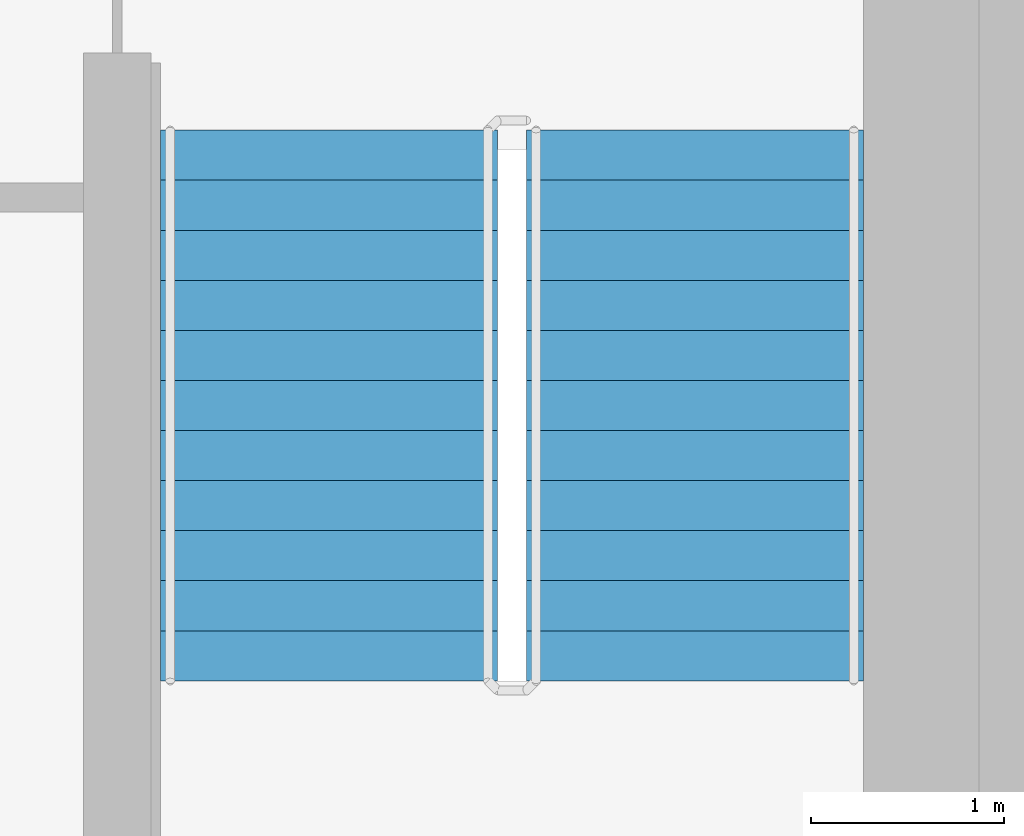
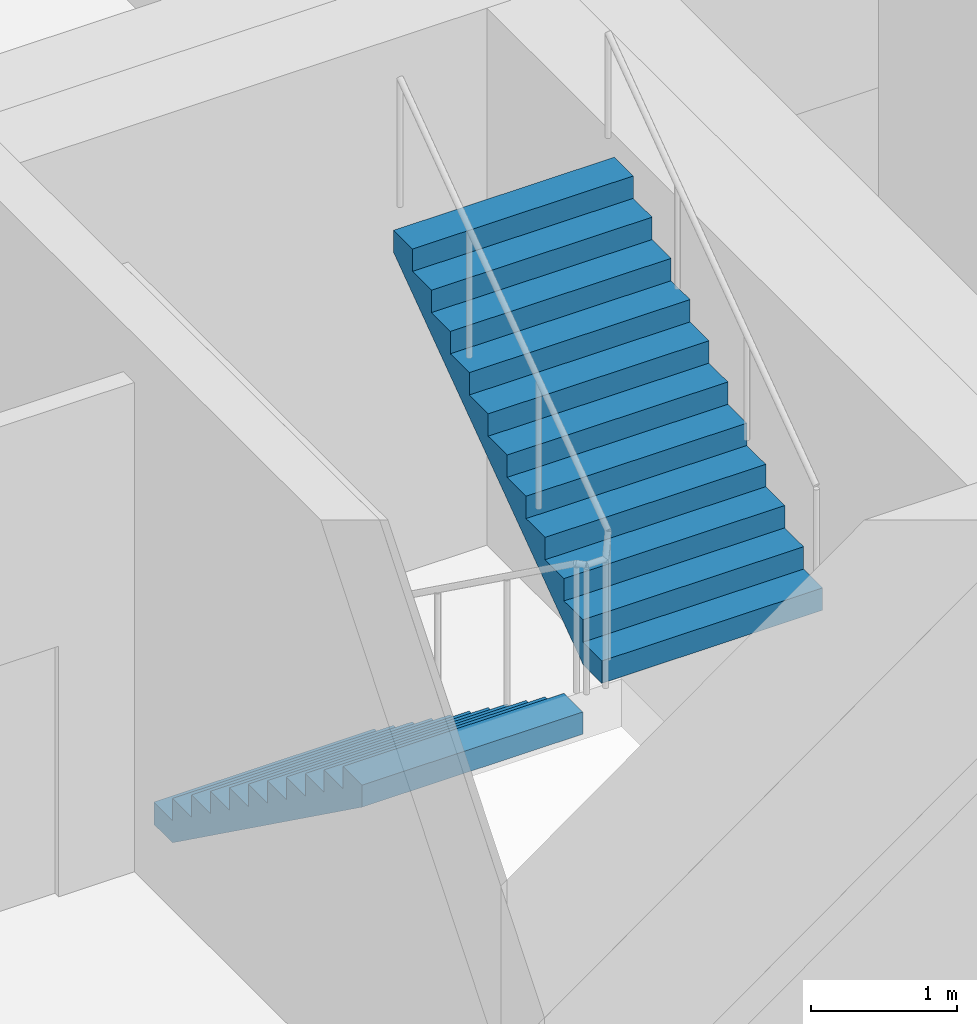
# One storey, part 14 of 19: 2 stair flights, 1 element without a shape of its own.
"""IFC4 building model written with IfcOpenShell, lengths in metres."""

from ifc_helpers import new_model, si_unit, direction, frame, origin, place, context, subcontext, project, spatial, faceted_brep, material, type_object, element, aggregate, save


model = new_model("IFC4")

# Units and contexts
model_context = context("Model", 3, precision=1e-05, world=origin(), true_north=direction((0.0, 1.0)))
body_context = subcontext(model_context, "Body", "Model", "MODEL_VIEW")
ifc_project = project(units=[si_unit("LENGTHUNIT", "METRE"), si_unit("AREAUNIT", "SQUARE_METRE"), si_unit("VOLUMEUNIT", "CUBIC_METRE"), si_unit("PLANEANGLEUNIT", "RADIAN"), si_unit("MASSUNIT", "GRAM", prefix="KILO")], contexts=[model_context])

# Site, building, storey
site_placement = place(None, origin())
site = spatial("IfcSite", under=ifc_project, at=site_placement, CompositionType="ELEMENT")
building_placement = place(site_placement, origin())
building = spatial("IfcBuilding", under=site, at=building_placement, Name="Ipe Terrace Towers", CompositionType="ELEMENT")
storey_placement = place(building_placement, frame((0.0, 0.0, 237.89990234375)))
storey = spatial("IfcBuildingStorey", under=building, at=storey_placement, Name="L66", CompositionType="ELEMENT", Elevation=237.89990234375)

# Stair, stair flights
ifc_material_1 = material(Name="Concrete C30/37", Category="concrete")
stair_type = type_object("IfcStairType", Name="Protected exit stair", PredefinedType="HALF_TURN_STAIR", material=ifc_material_1)
stair_placement = place(storey_placement, origin())
stair = element("IfcStair", 1, at=stair_placement, inside=storey, type_object=stair_type, Name="L66 Exit stair T2-C2", PredefinedType="HALF_TURN_STAIR")
ifc_material_2 = material(Name="Concrete C30/37", Category="concrete")
stair_flight_type = type_object("IfcStairFlightType", Name="Exit stair flight 1750", PredefinedType="STRAIGHT", material=ifc_material_2)
stair_flight_1_placement = place(storey_placement, frame((38.77490234375, -9.699951171875, 0.0), z_axis=(0.0, 0.0, 1.0), x_axis=(0.0, -1.0, 0.0)))
stair_flight_1 = element("IfcStairFlight", 2, at=stair_flight_1_placement, type_object=stair_flight_type, Name="T2-ST2 flight 1", NumberOfRisers=12, NumberOfTreads=11, PredefinedType="STRAIGHT", RiserHeight=0.1875, TreadLength=0.26, context=body_context, shape_type="Brep", body=[
    faceted_brep([(0.25634765625, -0.875, 0.0), (2.860107421875, -0.875, 1.877685546875), (2.860107421875, -0.875, 2.0625), (2.60009765625, -0.875, 2.0625), (2.60009765625, -0.875, 1.875), (2.340087890625, -0.875, 1.875), (2.340087890625, -0.875, 1.6875), (2.080078125, -0.875, 1.6875), (2.080078125, -0.875, 1.5), (1.820068359375, -0.875, 1.5), (1.820068359375, -0.875, 1.3125), (1.56005859375, -0.875, 1.3125), (1.56005859375, -0.875, 1.125), (1.300048828125, -0.875, 1.125), (1.300048828125, -0.875, 0.9375), (1.0400390625, -0.875, 0.9375), (1.0400390625, -0.875, 0.75), (0.780029296875, -0.875, 0.75), (0.780029296875, -0.875, 0.5625), (0.52001953125, -0.875, 0.5625), (0.52001953125, -0.875, 0.375), (0.260009765625, -0.875, 0.375), (0.260009765625, -0.875, 0.1875), (0.0, -0.875, 0.1875), (0.0, -0.875, 0.0), (0.0, 0.875, 0.0), (0.0, 0.875, 0.1875), (0.260009765625, 0.875, 0.1875), (0.260009765625, 0.875, 0.375), (0.52001953125, 0.875, 0.375), (0.52001953125, 0.875, 0.5625), (0.780029296875, 0.875, 0.5625), (0.780029296875, 0.875, 0.75), (1.0400390625, 0.875, 0.75), (1.0400390625, 0.875, 0.9375), (1.300048828125, 0.875, 0.9375), (1.300048828125, 0.875, 1.125), (1.56005859375, 0.875, 1.125), (1.56005859375, 0.875, 1.3125), (1.820068359375, 0.875, 1.3125), (1.820068359375, 0.875, 1.5), (2.080078125, 0.875, 1.5), (2.080078125, 0.875, 1.6875), (2.340087890625, 0.875, 1.6875), (2.340087890625, 0.875, 1.875), (2.60009765625, 0.875, 1.875), (2.60009765625, 0.875, 2.0625), (2.860107421875, 0.875, 2.0625), (2.860107421875, 0.875, 1.877685546875), (0.25634765625, 0.875, 0.0), (0.0, -0.300048828125, 0.1875), (0.0, -0.1201171875, 0.1875), (0.0, -0.06005859375, 0.1875), (0.0, -0.030029296875, 0.1875), (0.0, -0.010009765625, 0.1875), (0.0, 0.0, 0.1875), (0.0, 0.010009765625, 0.1875), (0.0, 0.030029296875, 0.1875), (0.0, 0.06005859375, 0.1875), (0.0, 0.1201171875, 0.1875), (0.0, 0.300048828125, 0.1875), (0.0, 0.300048828125, 0.0), (0.0, 0.1201171875, 0.0), (0.0, 0.06005859375, 0.0), (0.0, 0.030029296875, 0.0), (0.0, 0.010009765625, 0.0), (0.0, 0.0, 0.0), (0.0, -0.010009765625, 0.0), (0.0, -0.030029296875, 0.0), (0.0, -0.06005859375, 0.0), (0.0, -0.1201171875, 0.0), (0.0, -0.300048828125, 0.0), (0.260009765625, -0.300048828125, 0.1875), (0.260009765625, -0.1201171875, 0.1875), (0.260009765625, -0.06005859375, 0.1875), (0.260009765625, -0.030029296875, 0.1875), (0.260009765625, -0.010009765625, 0.1875), (0.260009765625, 0.0, 0.1875), (0.260009765625, 0.010009765625, 0.1875), (0.260009765625, 0.030029296875, 0.1875), (0.260009765625, 0.06005859375, 0.1875), (0.260009765625, 0.1201171875, 0.1875), (0.260009765625, 0.300048828125, 0.1875), (0.260009765625, -0.300048828125, 0.375), (0.260009765625, -0.1201171875, 0.375), (0.260009765625, -0.06005859375, 0.375), (0.260009765625, -0.030029296875, 0.375), (0.260009765625, -0.010009765625, 0.375), (0.260009765625, 0.0, 0.375), (0.260009765625, 0.010009765625, 0.375), (0.260009765625, 0.030029296875, 0.375), (0.260009765625, 0.06005859375, 0.375), (0.260009765625, 0.1201171875, 0.375), (0.260009765625, 0.300048828125, 0.375), (0.52001953125, -0.300048828125, 0.375), (0.52001953125, -0.1201171875, 0.375), (0.52001953125, -0.06005859375, 0.375), (0.52001953125, -0.030029296875, 0.375), (0.52001953125, -0.010009765625, 0.375), (0.52001953125, 0.0, 0.375), (0.52001953125, 0.010009765625, 0.375), (0.52001953125, 0.030029296875, 0.375), (0.52001953125, 0.06005859375, 0.375), (0.52001953125, 0.1201171875, 0.375), (0.52001953125, 0.300048828125, 0.375), (0.52001953125, -0.300048828125, 0.5625), (0.52001953125, -0.1201171875, 0.5625), (0.52001953125, -0.06005859375, 0.5625), (0.52001953125, -0.030029296875, 0.5625), (0.52001953125, -0.010009765625, 0.5625), (0.52001953125, 0.0, 0.5625), (0.52001953125, 0.010009765625, 0.5625), (0.52001953125, 0.030029296875, 0.5625), (0.52001953125, 0.06005859375, 0.5625), (0.52001953125, 0.1201171875, 0.5625), (0.52001953125, 0.300048828125, 0.5625), (0.780029296875, -0.300048828125, 0.5625), (0.780029296875, -0.1201171875, 0.5625), (0.780029296875, -0.06005859375, 0.5625), (0.780029296875, -0.030029296875, 0.5625), (0.780029296875, -0.010009765625, 0.5625), (0.780029296875, 0.0, 0.5625), (0.780029296875, 0.010009765625, 0.5625), (0.780029296875, 0.030029296875, 0.5625), (0.780029296875, 0.06005859375, 0.5625), (0.780029296875, 0.1201171875, 0.5625), (0.780029296875, 0.300048828125, 0.5625), (0.780029296875, -0.300048828125, 0.75), (0.780029296875, -0.1201171875, 0.75), (0.780029296875, -0.06005859375, 0.75), (0.780029296875, -0.030029296875, 0.75), (0.780029296875, -0.010009765625, 0.75), (0.780029296875, 0.0, 0.75), (0.780029296875, 0.010009765625, 0.75), (0.780029296875, 0.030029296875, 0.75), (0.780029296875, 0.06005859375, 0.75), (0.780029296875, 0.1201171875, 0.75), (0.780029296875, 0.300048828125, 0.75), (1.0400390625, -0.300048828125, 0.75), (1.0400390625, -0.1201171875, 0.75), (1.0400390625, -0.06005859375, 0.75), (1.0400390625, -0.030029296875, 0.75), (1.0400390625, -0.010009765625, 0.75), (1.0400390625, 0.0, 0.75), (1.0400390625, 0.010009765625, 0.75), (1.0400390625, 0.030029296875, 0.75), (1.0400390625, 0.06005859375, 0.75), (1.0400390625, 0.1201171875, 0.75), (1.0400390625, 0.300048828125, 0.75), (1.0400390625, -0.300048828125, 0.9375), (1.0400390625, -0.1201171875, 0.9375), (1.0400390625, -0.06005859375, 0.9375), (1.0400390625, -0.030029296875, 0.9375), (1.0400390625, -0.010009765625, 0.9375), (1.0400390625, 0.0, 0.9375), (1.0400390625, 0.010009765625, 0.9375), (1.0400390625, 0.030029296875, 0.9375), (1.0400390625, 0.06005859375, 0.9375), (1.0400390625, 0.1201171875, 0.9375), (1.0400390625, 0.300048828125, 0.9375), (1.300048828125, -0.300048828125, 0.9375), (1.300048828125, -0.1201171875, 0.9375), (1.300048828125, -0.06005859375, 0.9375), (1.300048828125, -0.030029296875, 0.9375), (1.300048828125, -0.010009765625, 0.9375), (1.300048828125, 0.0, 0.9375), (1.300048828125, 0.010009765625, 0.9375), (1.300048828125, 0.030029296875, 0.9375), (1.300048828125, 0.06005859375, 0.9375), (1.300048828125, 0.1201171875, 0.9375), (1.300048828125, 0.300048828125, 0.9375), (1.300048828125, -0.300048828125, 1.125), (1.300048828125, -0.1201171875, 1.125), (1.300048828125, -0.06005859375, 1.125), (1.300048828125, -0.030029296875, 1.125), (1.300048828125, -0.010009765625, 1.125), (1.300048828125, 0.0, 1.125), (1.300048828125, 0.010009765625, 1.125), (1.300048828125, 0.030029296875, 1.125), (1.300048828125, 0.06005859375, 1.125), (1.300048828125, 0.1201171875, 1.125), (1.300048828125, 0.300048828125, 1.125), (1.56005859375, -0.300048828125, 1.125), (1.56005859375, -0.1201171875, 1.125), (1.56005859375, -0.06005859375, 1.125), (1.56005859375, -0.030029296875, 1.125), (1.56005859375, -0.010009765625, 1.125), (1.56005859375, 0.0, 1.125), (1.56005859375, 0.010009765625, 1.125), (1.56005859375, 0.030029296875, 1.125), (1.56005859375, 0.06005859375, 1.125), (1.56005859375, 0.1201171875, 1.125), (1.56005859375, 0.300048828125, 1.125), (1.56005859375, -0.300048828125, 1.3125), (1.56005859375, -0.1201171875, 1.3125), (1.56005859375, -0.06005859375, 1.3125), (1.56005859375, -0.030029296875, 1.3125), (1.56005859375, -0.010009765625, 1.3125), (1.56005859375, 0.0, 1.3125), (1.56005859375, 0.010009765625, 1.3125), (1.56005859375, 0.030029296875, 1.3125), (1.56005859375, 0.06005859375, 1.3125), (1.56005859375, 0.1201171875, 1.3125), (1.56005859375, 0.300048828125, 1.3125), (1.820068359375, -0.300048828125, 1.3125), (1.820068359375, -0.1201171875, 1.3125), (1.820068359375, -0.06005859375, 1.3125), (1.820068359375, -0.030029296875, 1.3125), (1.820068359375, -0.010009765625, 1.3125), (1.820068359375, 0.0, 1.3125), (1.820068359375, 0.010009765625, 1.3125), (1.820068359375, 0.030029296875, 1.3125), (1.820068359375, 0.06005859375, 1.3125), (1.820068359375, 0.1201171875, 1.3125), (1.820068359375, 0.300048828125, 1.3125), (1.820068359375, -0.300048828125, 1.5), (1.820068359375, -0.1201171875, 1.5), (1.820068359375, -0.06005859375, 1.5), (1.820068359375, -0.030029296875, 1.5), (1.820068359375, -0.010009765625, 1.5), (1.820068359375, 0.0, 1.5), (1.820068359375, 0.010009765625, 1.5), (1.820068359375, 0.030029296875, 1.5), (1.820068359375, 0.06005859375, 1.5), (1.820068359375, 0.1201171875, 1.5), (1.820068359375, 0.300048828125, 1.5), (2.080078125, -0.300048828125, 1.5), (2.080078125, -0.1201171875, 1.5), (2.080078125, -0.06005859375, 1.5), (2.080078125, -0.030029296875, 1.5), (2.080078125, -0.010009765625, 1.5), (2.080078125, 0.0, 1.5), (2.080078125, 0.010009765625, 1.5), (2.080078125, 0.030029296875, 1.5), (2.080078125, 0.06005859375, 1.5), (2.080078125, 0.1201171875, 1.5), (2.080078125, 0.300048828125, 1.5), (2.080078125, -0.300048828125, 1.6875), (2.080078125, -0.1201171875, 1.6875), (2.080078125, -0.06005859375, 1.6875), (2.080078125, -0.030029296875, 1.6875), (2.080078125, -0.010009765625, 1.6875), (2.080078125, 0.0, 1.6875), (2.080078125, 0.010009765625, 1.6875), (2.080078125, 0.030029296875, 1.6875), (2.080078125, 0.06005859375, 1.6875), (2.080078125, 0.1201171875, 1.6875), (2.080078125, 0.300048828125, 1.6875), (2.340087890625, -0.300048828125, 1.6875), (2.340087890625, -0.1201171875, 1.6875), (2.340087890625, -0.06005859375, 1.6875), (2.340087890625, -0.030029296875, 1.6875), (2.340087890625, -0.010009765625, 1.6875), (2.340087890625, 0.0, 1.6875), (2.340087890625, 0.010009765625, 1.6875), (2.340087890625, 0.030029296875, 1.6875), (2.340087890625, 0.06005859375, 1.6875), (2.340087890625, 0.1201171875, 1.6875), (2.340087890625, 0.300048828125, 1.6875), (2.340087890625, -0.300048828125, 1.875), (2.340087890625, -0.1201171875, 1.875), (2.340087890625, -0.06005859375, 1.875), (2.340087890625, -0.030029296875, 1.875), (2.340087890625, -0.010009765625, 1.875), (2.340087890625, 0.0, 1.875), (2.340087890625, 0.010009765625, 1.875), (2.340087890625, 0.030029296875, 1.875), (2.340087890625, 0.06005859375, 1.875), (2.340087890625, 0.1201171875, 1.875), (2.340087890625, 0.300048828125, 1.875), (2.60009765625, -0.300048828125, 1.875), (2.60009765625, -0.1201171875, 1.875), (2.60009765625, -0.06005859375, 1.875), (2.60009765625, -0.030029296875, 1.875), (2.60009765625, -0.010009765625, 1.875), (2.60009765625, 0.0, 1.875), (2.60009765625, 0.010009765625, 1.875), (2.60009765625, 0.030029296875, 1.875), (2.60009765625, 0.06005859375, 1.875), (2.60009765625, 0.1201171875, 1.875), (2.60009765625, 0.300048828125, 1.875), (2.60009765625, -0.300048828125, 2.0625), (2.60009765625, -0.1201171875, 2.0625), (2.60009765625, -0.06005859375, 2.0625), (2.60009765625, -0.030029296875, 2.0625), (2.60009765625, -0.010009765625, 2.0625), (2.60009765625, 0.0, 2.0625), (2.60009765625, 0.010009765625, 2.0625), (2.60009765625, 0.030029296875, 2.0625), (2.60009765625, 0.06005859375, 2.0625), (2.60009765625, 0.1201171875, 2.0625), (2.60009765625, 0.300048828125, 2.0625), (2.860107421875, -0.300048828125, 2.0625), (2.860107421875, -0.1201171875, 2.0625), (2.860107421875, -0.06005859375, 2.0625), (2.860107421875, -0.030029296875, 2.0625), (2.860107421875, -0.010009765625, 2.0625), (2.860107421875, 0.0, 2.0625), (2.860107421875, 0.010009765625, 2.0625), (2.860107421875, 0.030029296875, 2.0625), (2.860107421875, 0.06005859375, 2.0625), (2.860107421875, 0.1201171875, 2.0625), (2.860107421875, 0.300048828125, 2.0625), (2.860107421875, -0.300048828125, 1.877685546875), (2.860107421875, -0.1201171875, 1.877685546875), (2.860107421875, -0.06005859375, 1.877685546875), (2.860107421875, -0.030029296875, 1.877685546875), (2.860107421875, -0.010009765625, 1.877685546875), (2.860107421875, 0.0, 1.877685546875), (2.860107421875, 0.010009765625, 1.877685546875), (2.860107421875, 0.030029296875, 1.877685546875), (2.860107421875, 0.06005859375, 1.877685546875), (2.860107421875, 0.1201171875, 1.877685546875), (2.860107421875, 0.300048828125, 1.877685546875), (0.25634765625, -0.300048828125, 0.0), (0.25634765625, -0.1201171875, 0.0), (0.25634765625, -0.06005859375, 0.0), (0.25634765625, -0.030029296875, 0.0), (0.25634765625, -0.010009765625, 0.0), (0.25634765625, 0.0, 0.0), (0.25634765625, 0.010009765625, 0.0), (0.25634765625, 0.030029296875, 0.0), (0.25634765625, 0.06005859375, 0.0), (0.25634765625, 0.1201171875, 0.0), (0.25634765625, 0.300048828125, 0.0)], [[[0, 1, 2, 3, 4, 5, 6, 7, 8, 9, 10, 11, 12, 13, 14, 15, 16, 17, 18, 19, 20, 21, 22, 23, 24]], [[25, 26, 27, 28, 29, 30, 31, 32, 33, 34, 35, 36, 37, 38, 39, 40, 41, 42, 43, 44, 45, 46, 47, 48, 49]], [[23, 50, 51, 52, 53, 54, 55, 56, 57, 58, 59, 60, 26, 25, 61, 62, 63, 64, 65, 66, 67, 68, 69, 70, 71, 24]], [[22, 72, 73, 74, 75, 76, 77, 78, 79, 80, 81, 82, 27, 26, 60, 59, 58, 57, 56, 55, 54, 53, 52, 51, 50, 23]], [[21, 83, 84, 85, 86, 87, 88, 89, 90, 91, 92, 93, 28, 27, 82, 81, 80, 79, 78, 77, 76, 75, 74, 73, 72, 22]], [[20, 94, 95, 96, 97, 98, 99, 100, 101, 102, 103, 104, 29, 28, 93, 92, 91, 90, 89, 88, 87, 86, 85, 84, 83, 21]], [[19, 105, 106, 107, 108, 109, 110, 111, 112, 113, 114, 115, 30, 29, 104, 103, 102, 101, 100, 99, 98, 97, 96, 95, 94, 20]], [[18, 116, 117, 118, 119, 120, 121, 122, 123, 124, 125, 126, 31, 30, 115, 114, 113, 112, 111, 110, 109, 108, 107, 106, 105, 19]], [[17, 127, 128, 129, 130, 131, 132, 133, 134, 135, 136, 137, 32, 31, 126, 125, 124, 123, 122, 121, 120, 119, 118, 117, 116, 18]], [[16, 138, 139, 140, 141, 142, 143, 144, 145, 146, 147, 148, 33, 32, 137, 136, 135, 134, 133, 132, 131, 130, 129, 128, 127, 17]], [[15, 149, 150, 151, 152, 153, 154, 155, 156, 157, 158, 159, 34, 33, 148, 147, 146, 145, 144, 143, 142, 141, 140, 139, 138, 16]], [[14, 160, 161, 162, 163, 164, 165, 166, 167, 168, 169, 170, 35, 34, 159, 158, 157, 156, 155, 154, 153, 152, 151, 150, 149, 15]], [[13, 171, 172, 173, 174, 175, 176, 177, 178, 179, 180, 181, 36, 35, 170, 169, 168, 167, 166, 165, 164, 163, 162, 161, 160, 14]], [[12, 182, 183, 184, 185, 186, 187, 188, 189, 190, 191, 192, 37, 36, 181, 180, 179, 178, 177, 176, 175, 174, 173, 172, 171, 13]], [[11, 193, 194, 195, 196, 197, 198, 199, 200, 201, 202, 203, 38, 37, 192, 191, 190, 189, 188, 187, 186, 185, 184, 183, 182, 12]], [[10, 204, 205, 206, 207, 208, 209, 210, 211, 212, 213, 214, 39, 38, 203, 202, 201, 200, 199, 198, 197, 196, 195, 194, 193, 11]], [[9, 215, 216, 217, 218, 219, 220, 221, 222, 223, 224, 225, 40, 39, 214, 213, 212, 211, 210, 209, 208, 207, 206, 205, 204, 10]], [[8, 226, 227, 228, 229, 230, 231, 232, 233, 234, 235, 236, 41, 40, 225, 224, 223, 222, 221, 220, 219, 218, 217, 216, 215, 9]], [[7, 237, 238, 239, 240, 241, 242, 243, 244, 245, 246, 247, 42, 41, 236, 235, 234, 233, 232, 231, 230, 229, 228, 227, 226, 8]], [[6, 248, 249, 250, 251, 252, 253, 254, 255, 256, 257, 258, 43, 42, 247, 246, 245, 244, 243, 242, 241, 240, 239, 238, 237, 7]], [[5, 259, 260, 261, 262, 263, 264, 265, 266, 267, 268, 269, 44, 43, 258, 257, 256, 255, 254, 253, 252, 251, 250, 249, 248, 6]], [[4, 270, 271, 272, 273, 274, 275, 276, 277, 278, 279, 280, 45, 44, 269, 268, 267, 266, 265, 264, 263, 262, 261, 260, 259, 5]], [[3, 281, 282, 283, 284, 285, 286, 287, 288, 289, 290, 291, 46, 45, 280, 279, 278, 277, 276, 275, 274, 273, 272, 271, 270, 4]], [[2, 292, 293, 294, 295, 296, 297, 298, 299, 300, 301, 302, 47, 46, 291, 290, 289, 288, 287, 286, 285, 284, 283, 282, 281, 3]], [[1, 303, 304, 305, 306, 307, 308, 309, 310, 311, 312, 313, 48, 47, 302, 301, 300, 299, 298, 297, 296, 295, 294, 293, 292, 2]], [[0, 314, 315, 316, 317, 318, 319, 320, 321, 322, 323, 324, 49, 48, 313, 312, 311, 310, 309, 308, 307, 306, 305, 304, 303, 1]], [[24, 71, 70, 69, 68, 67, 66, 65, 64, 63, 62, 61, 25, 49, 324, 323, 322, 321, 320, 319, 318, 317, 316, 315, 314, 0]]]),
])
stair_flight_2_placement = place(storey_placement, frame((40.675048828125, -12.56005859375, 2.25), z_axis=(0.0, 0.0, 1.0), x_axis=(0.0, 1.0, 0.0)))
stair_flight_2 = element("IfcStairFlight", 3, at=stair_flight_2_placement, type_object=stair_flight_type, Name="T2-ST2 flight 2", NumberOfRisers=12, NumberOfTreads=11, PredefinedType="STRAIGHT", RiserHeight=0.1875, TreadLength=0.26, context=body_context, shape_type="Brep", body=[
    faceted_brep([(0.25634765625, -0.875, 0.0), (2.860107421875, -0.875, 1.877685546875), (2.860107421875, -0.875, 2.0625), (2.60009765625, -0.875, 2.0625), (2.60009765625, -0.875, 1.875), (2.340087890625, -0.875, 1.875), (2.340087890625, -0.875, 1.6875), (2.080078125, -0.875, 1.6875), (2.080078125, -0.875, 1.5), (1.820068359375, -0.875, 1.5), (1.820068359375, -0.875, 1.3125), (1.56005859375, -0.875, 1.3125), (1.56005859375, -0.875, 1.125), (1.300048828125, -0.875, 1.125), (1.300048828125, -0.875, 0.9375), (1.0400390625, -0.875, 0.9375), (1.0400390625, -0.875, 0.75), (0.780029296875, -0.875, 0.75), (0.780029296875, -0.875, 0.5625), (0.52001953125, -0.875, 0.5625), (0.52001953125, -0.875, 0.375), (0.260009765625, -0.875, 0.375), (0.260009765625, -0.875, 0.1875), (0.0, -0.875, 0.1875), (0.0, -0.875, 0.0), (0.0, 0.875, 0.0), (0.0, 0.875, 0.1875), (0.260009765625, 0.875, 0.1875), (0.260009765625, 0.875, 0.375), (0.52001953125, 0.875, 0.375), (0.52001953125, 0.875, 0.5625), (0.780029296875, 0.875, 0.5625), (0.780029296875, 0.875, 0.75), (1.0400390625, 0.875, 0.75), (1.0400390625, 0.875, 0.9375), (1.300048828125, 0.875, 0.9375), (1.300048828125, 0.875, 1.125), (1.56005859375, 0.875, 1.125), (1.56005859375, 0.875, 1.3125), (1.820068359375, 0.875, 1.3125), (1.820068359375, 0.875, 1.5), (2.080078125, 0.875, 1.5), (2.080078125, 0.875, 1.6875), (2.340087890625, 0.875, 1.6875), (2.340087890625, 0.875, 1.875), (2.60009765625, 0.875, 1.875), (2.60009765625, 0.875, 2.0625), (2.860107421875, 0.875, 2.0625), (2.860107421875, 0.875, 1.877685546875), (0.25634765625, 0.875, 0.0), (0.0, -0.300048828125, 0.1875), (0.0, -0.1201171875, 0.1875), (0.0, -0.06005859375, 0.1875), (0.0, -0.030029296875, 0.1875), (0.0, -0.010009765625, 0.1875), (0.0, 0.0, 0.1875), (0.0, 0.010009765625, 0.1875), (0.0, 0.030029296875, 0.1875), (0.0, 0.06005859375, 0.1875), (0.0, 0.1201171875, 0.1875), (0.0, 0.300048828125, 0.1875), (0.0, 0.300048828125, 0.0), (0.0, 0.1201171875, 0.0), (0.0, 0.06005859375, 0.0), (0.0, 0.030029296875, 0.0), (0.0, 0.010009765625, 0.0), (0.0, 0.0, 0.0), (0.0, -0.010009765625, 0.0), (0.0, -0.030029296875, 0.0), (0.0, -0.06005859375, 0.0), (0.0, -0.1201171875, 0.0), (0.0, -0.300048828125, 0.0), (0.260009765625, -0.300048828125, 0.1875), (0.260009765625, -0.1201171875, 0.1875), (0.260009765625, -0.06005859375, 0.1875), (0.260009765625, -0.030029296875, 0.1875), (0.260009765625, -0.010009765625, 0.1875), (0.260009765625, 0.0, 0.1875), (0.260009765625, 0.010009765625, 0.1875), (0.260009765625, 0.030029296875, 0.1875), (0.260009765625, 0.06005859375, 0.1875), (0.260009765625, 0.1201171875, 0.1875), (0.260009765625, 0.300048828125, 0.1875), (0.260009765625, -0.300048828125, 0.375), (0.260009765625, -0.1201171875, 0.375), (0.260009765625, -0.06005859375, 0.375), (0.260009765625, -0.030029296875, 0.375), (0.260009765625, -0.010009765625, 0.375), (0.260009765625, 0.0, 0.375), (0.260009765625, 0.010009765625, 0.375), (0.260009765625, 0.030029296875, 0.375), (0.260009765625, 0.06005859375, 0.375), (0.260009765625, 0.1201171875, 0.375), (0.260009765625, 0.300048828125, 0.375), (0.52001953125, -0.300048828125, 0.375), (0.52001953125, -0.1201171875, 0.375), (0.52001953125, -0.06005859375, 0.375), (0.52001953125, -0.030029296875, 0.375), (0.52001953125, -0.010009765625, 0.375), (0.52001953125, 0.0, 0.375), (0.52001953125, 0.010009765625, 0.375), (0.52001953125, 0.030029296875, 0.375), (0.52001953125, 0.06005859375, 0.375), (0.52001953125, 0.1201171875, 0.375), (0.52001953125, 0.300048828125, 0.375), (0.52001953125, -0.300048828125, 0.5625), (0.52001953125, -0.1201171875, 0.5625), (0.52001953125, -0.06005859375, 0.5625), (0.52001953125, -0.030029296875, 0.5625), (0.52001953125, -0.010009765625, 0.5625), (0.52001953125, 0.0, 0.5625), (0.52001953125, 0.010009765625, 0.5625), (0.52001953125, 0.030029296875, 0.5625), (0.52001953125, 0.06005859375, 0.5625), (0.52001953125, 0.1201171875, 0.5625), (0.52001953125, 0.300048828125, 0.5625), (0.780029296875, -0.300048828125, 0.5625), (0.780029296875, -0.1201171875, 0.5625), (0.780029296875, -0.06005859375, 0.5625), (0.780029296875, -0.030029296875, 0.5625), (0.780029296875, -0.010009765625, 0.5625), (0.780029296875, 0.0, 0.5625), (0.780029296875, 0.010009765625, 0.5625), (0.780029296875, 0.030029296875, 0.5625), (0.780029296875, 0.06005859375, 0.5625), (0.780029296875, 0.1201171875, 0.5625), (0.780029296875, 0.300048828125, 0.5625), (0.780029296875, -0.300048828125, 0.75), (0.780029296875, -0.1201171875, 0.75), (0.780029296875, -0.06005859375, 0.75), (0.780029296875, -0.030029296875, 0.75), (0.780029296875, -0.010009765625, 0.75), (0.780029296875, 0.0, 0.75), (0.780029296875, 0.010009765625, 0.75), (0.780029296875, 0.030029296875, 0.75), (0.780029296875, 0.06005859375, 0.75), (0.780029296875, 0.1201171875, 0.75), (0.780029296875, 0.300048828125, 0.75), (1.0400390625, -0.300048828125, 0.75), (1.0400390625, -0.1201171875, 0.75), (1.0400390625, -0.06005859375, 0.75), (1.0400390625, -0.030029296875, 0.75), (1.0400390625, -0.010009765625, 0.75), (1.0400390625, 0.0, 0.75), (1.0400390625, 0.010009765625, 0.75), (1.0400390625, 0.030029296875, 0.75), (1.0400390625, 0.06005859375, 0.75), (1.0400390625, 0.1201171875, 0.75), (1.0400390625, 0.300048828125, 0.75), (1.0400390625, -0.300048828125, 0.9375), (1.0400390625, -0.1201171875, 0.9375), (1.0400390625, -0.06005859375, 0.9375), (1.0400390625, -0.030029296875, 0.9375), (1.0400390625, -0.010009765625, 0.9375), (1.0400390625, 0.0, 0.9375), (1.0400390625, 0.010009765625, 0.9375), (1.0400390625, 0.030029296875, 0.9375), (1.0400390625, 0.06005859375, 0.9375), (1.0400390625, 0.1201171875, 0.9375), (1.0400390625, 0.300048828125, 0.9375), (1.300048828125, -0.300048828125, 0.9375), (1.300048828125, -0.1201171875, 0.9375), (1.300048828125, -0.06005859375, 0.9375), (1.300048828125, -0.030029296875, 0.9375), (1.300048828125, -0.010009765625, 0.9375), (1.300048828125, 0.0, 0.9375), (1.300048828125, 0.010009765625, 0.9375), (1.300048828125, 0.030029296875, 0.9375), (1.300048828125, 0.06005859375, 0.9375), (1.300048828125, 0.1201171875, 0.9375), (1.300048828125, 0.300048828125, 0.9375), (1.300048828125, -0.300048828125, 1.125), (1.300048828125, -0.1201171875, 1.125), (1.300048828125, -0.06005859375, 1.125), (1.300048828125, -0.030029296875, 1.125), (1.300048828125, -0.010009765625, 1.125), (1.300048828125, 0.0, 1.125), (1.300048828125, 0.010009765625, 1.125), (1.300048828125, 0.030029296875, 1.125), (1.300048828125, 0.06005859375, 1.125), (1.300048828125, 0.1201171875, 1.125), (1.300048828125, 0.300048828125, 1.125), (1.56005859375, -0.300048828125, 1.125), (1.56005859375, -0.1201171875, 1.125), (1.56005859375, -0.06005859375, 1.125), (1.56005859375, -0.030029296875, 1.125), (1.56005859375, -0.010009765625, 1.125), (1.56005859375, 0.0, 1.125), (1.56005859375, 0.010009765625, 1.125), (1.56005859375, 0.030029296875, 1.125), (1.56005859375, 0.06005859375, 1.125), (1.56005859375, 0.1201171875, 1.125), (1.56005859375, 0.300048828125, 1.125), (1.56005859375, -0.300048828125, 1.3125), (1.56005859375, -0.1201171875, 1.3125), (1.56005859375, -0.06005859375, 1.3125), (1.56005859375, -0.030029296875, 1.3125), (1.56005859375, -0.010009765625, 1.3125), (1.56005859375, 0.0, 1.3125), (1.56005859375, 0.010009765625, 1.3125), (1.56005859375, 0.030029296875, 1.3125), (1.56005859375, 0.06005859375, 1.3125), (1.56005859375, 0.1201171875, 1.3125), (1.56005859375, 0.300048828125, 1.3125), (1.820068359375, -0.300048828125, 1.3125), (1.820068359375, -0.1201171875, 1.3125), (1.820068359375, -0.06005859375, 1.3125), (1.820068359375, -0.030029296875, 1.3125), (1.820068359375, -0.010009765625, 1.3125), (1.820068359375, 0.0, 1.3125), (1.820068359375, 0.010009765625, 1.3125), (1.820068359375, 0.030029296875, 1.3125), (1.820068359375, 0.06005859375, 1.3125), (1.820068359375, 0.1201171875, 1.3125), (1.820068359375, 0.300048828125, 1.3125), (1.820068359375, -0.300048828125, 1.5), (1.820068359375, -0.1201171875, 1.5), (1.820068359375, -0.06005859375, 1.5), (1.820068359375, -0.030029296875, 1.5), (1.820068359375, -0.010009765625, 1.5), (1.820068359375, 0.0, 1.5), (1.820068359375, 0.010009765625, 1.5), (1.820068359375, 0.030029296875, 1.5), (1.820068359375, 0.06005859375, 1.5), (1.820068359375, 0.1201171875, 1.5), (1.820068359375, 0.300048828125, 1.5), (2.080078125, -0.300048828125, 1.5), (2.080078125, -0.1201171875, 1.5), (2.080078125, -0.06005859375, 1.5), (2.080078125, -0.030029296875, 1.5), (2.080078125, -0.010009765625, 1.5), (2.080078125, 0.0, 1.5), (2.080078125, 0.010009765625, 1.5), (2.080078125, 0.030029296875, 1.5), (2.080078125, 0.06005859375, 1.5), (2.080078125, 0.1201171875, 1.5), (2.080078125, 0.300048828125, 1.5), (2.080078125, -0.300048828125, 1.6875), (2.080078125, -0.1201171875, 1.6875), (2.080078125, -0.06005859375, 1.6875), (2.080078125, -0.030029296875, 1.6875), (2.080078125, -0.010009765625, 1.6875), (2.080078125, 0.0, 1.6875), (2.080078125, 0.010009765625, 1.6875), (2.080078125, 0.030029296875, 1.6875), (2.080078125, 0.06005859375, 1.6875), (2.080078125, 0.1201171875, 1.6875), (2.080078125, 0.300048828125, 1.6875), (2.340087890625, -0.300048828125, 1.6875), (2.340087890625, -0.1201171875, 1.6875), (2.340087890625, -0.06005859375, 1.6875), (2.340087890625, -0.030029296875, 1.6875), (2.340087890625, -0.010009765625, 1.6875), (2.340087890625, 0.0, 1.6875), (2.340087890625, 0.010009765625, 1.6875), (2.340087890625, 0.030029296875, 1.6875), (2.340087890625, 0.06005859375, 1.6875), (2.340087890625, 0.1201171875, 1.6875), (2.340087890625, 0.300048828125, 1.6875), (2.340087890625, -0.300048828125, 1.875), (2.340087890625, -0.1201171875, 1.875), (2.340087890625, -0.06005859375, 1.875), (2.340087890625, -0.030029296875, 1.875), (2.340087890625, -0.010009765625, 1.875), (2.340087890625, 0.0, 1.875), (2.340087890625, 0.010009765625, 1.875), (2.340087890625, 0.030029296875, 1.875), (2.340087890625, 0.06005859375, 1.875), (2.340087890625, 0.1201171875, 1.875), (2.340087890625, 0.300048828125, 1.875), (2.60009765625, -0.300048828125, 1.875), (2.60009765625, -0.1201171875, 1.875), (2.60009765625, -0.06005859375, 1.875), (2.60009765625, -0.030029296875, 1.875), (2.60009765625, -0.010009765625, 1.875), (2.60009765625, 0.0, 1.875), (2.60009765625, 0.010009765625, 1.875), (2.60009765625, 0.030029296875, 1.875), (2.60009765625, 0.06005859375, 1.875), (2.60009765625, 0.1201171875, 1.875), (2.60009765625, 0.300048828125, 1.875), (2.60009765625, -0.300048828125, 2.0625), (2.60009765625, -0.1201171875, 2.0625), (2.60009765625, -0.06005859375, 2.0625), (2.60009765625, -0.030029296875, 2.0625), (2.60009765625, -0.010009765625, 2.0625), (2.60009765625, 0.0, 2.0625), (2.60009765625, 0.010009765625, 2.0625), (2.60009765625, 0.030029296875, 2.0625), (2.60009765625, 0.06005859375, 2.0625), (2.60009765625, 0.1201171875, 2.0625), (2.60009765625, 0.300048828125, 2.0625), (2.860107421875, -0.300048828125, 2.0625), (2.860107421875, -0.1201171875, 2.0625), (2.860107421875, -0.06005859375, 2.0625), (2.860107421875, -0.030029296875, 2.0625), (2.860107421875, -0.010009765625, 2.0625), (2.860107421875, 0.0, 2.0625), (2.860107421875, 0.010009765625, 2.0625), (2.860107421875, 0.030029296875, 2.0625), (2.860107421875, 0.06005859375, 2.0625), (2.860107421875, 0.1201171875, 2.0625), (2.860107421875, 0.300048828125, 2.0625), (2.860107421875, -0.300048828125, 1.877685546875), (2.860107421875, -0.1201171875, 1.877685546875), (2.860107421875, -0.06005859375, 1.877685546875), (2.860107421875, -0.030029296875, 1.877685546875), (2.860107421875, -0.010009765625, 1.877685546875), (2.860107421875, 0.0, 1.877685546875), (2.860107421875, 0.010009765625, 1.877685546875), (2.860107421875, 0.030029296875, 1.877685546875), (2.860107421875, 0.06005859375, 1.877685546875), (2.860107421875, 0.1201171875, 1.877685546875), (2.860107421875, 0.300048828125, 1.877685546875), (0.25634765625, -0.300048828125, 0.0), (0.25634765625, -0.1201171875, 0.0), (0.25634765625, -0.06005859375, 0.0), (0.25634765625, -0.030029296875, 0.0), (0.25634765625, -0.010009765625, 0.0), (0.25634765625, 0.0, 0.0), (0.25634765625, 0.010009765625, 0.0), (0.25634765625, 0.030029296875, 0.0), (0.25634765625, 0.06005859375, 0.0), (0.25634765625, 0.1201171875, 0.0), (0.25634765625, 0.300048828125, 0.0)], [[[0, 1, 2, 3, 4, 5, 6, 7, 8, 9, 10, 11, 12, 13, 14, 15, 16, 17, 18, 19, 20, 21, 22, 23, 24]], [[25, 26, 27, 28, 29, 30, 31, 32, 33, 34, 35, 36, 37, 38, 39, 40, 41, 42, 43, 44, 45, 46, 47, 48, 49]], [[23, 50, 51, 52, 53, 54, 55, 56, 57, 58, 59, 60, 26, 25, 61, 62, 63, 64, 65, 66, 67, 68, 69, 70, 71, 24]], [[22, 72, 73, 74, 75, 76, 77, 78, 79, 80, 81, 82, 27, 26, 60, 59, 58, 57, 56, 55, 54, 53, 52, 51, 50, 23]], [[21, 83, 84, 85, 86, 87, 88, 89, 90, 91, 92, 93, 28, 27, 82, 81, 80, 79, 78, 77, 76, 75, 74, 73, 72, 22]], [[20, 94, 95, 96, 97, 98, 99, 100, 101, 102, 103, 104, 29, 28, 93, 92, 91, 90, 89, 88, 87, 86, 85, 84, 83, 21]], [[19, 105, 106, 107, 108, 109, 110, 111, 112, 113, 114, 115, 30, 29, 104, 103, 102, 101, 100, 99, 98, 97, 96, 95, 94, 20]], [[18, 116, 117, 118, 119, 120, 121, 122, 123, 124, 125, 126, 31, 30, 115, 114, 113, 112, 111, 110, 109, 108, 107, 106, 105, 19]], [[17, 127, 128, 129, 130, 131, 132, 133, 134, 135, 136, 137, 32, 31, 126, 125, 124, 123, 122, 121, 120, 119, 118, 117, 116, 18]], [[16, 138, 139, 140, 141, 142, 143, 144, 145, 146, 147, 148, 33, 32, 137, 136, 135, 134, 133, 132, 131, 130, 129, 128, 127, 17]], [[15, 149, 150, 151, 152, 153, 154, 155, 156, 157, 158, 159, 34, 33, 148, 147, 146, 145, 144, 143, 142, 141, 140, 139, 138, 16]], [[14, 160, 161, 162, 163, 164, 165, 166, 167, 168, 169, 170, 35, 34, 159, 158, 157, 156, 155, 154, 153, 152, 151, 150, 149, 15]], [[13, 171, 172, 173, 174, 175, 176, 177, 178, 179, 180, 181, 36, 35, 170, 169, 168, 167, 166, 165, 164, 163, 162, 161, 160, 14]], [[12, 182, 183, 184, 185, 186, 187, 188, 189, 190, 191, 192, 37, 36, 181, 180, 179, 178, 177, 176, 175, 174, 173, 172, 171, 13]], [[11, 193, 194, 195, 196, 197, 198, 199, 200, 201, 202, 203, 38, 37, 192, 191, 190, 189, 188, 187, 186, 185, 184, 183, 182, 12]], [[10, 204, 205, 206, 207, 208, 209, 210, 211, 212, 213, 214, 39, 38, 203, 202, 201, 200, 199, 198, 197, 196, 195, 194, 193, 11]], [[9, 215, 216, 217, 218, 219, 220, 221, 222, 223, 224, 225, 40, 39, 214, 213, 212, 211, 210, 209, 208, 207, 206, 205, 204, 10]], [[8, 226, 227, 228, 229, 230, 231, 232, 233, 234, 235, 236, 41, 40, 225, 224, 223, 222, 221, 220, 219, 218, 217, 216, 215, 9]], [[7, 237, 238, 239, 240, 241, 242, 243, 244, 245, 246, 247, 42, 41, 236, 235, 234, 233, 232, 231, 230, 229, 228, 227, 226, 8]], [[6, 248, 249, 250, 251, 252, 253, 254, 255, 256, 257, 258, 43, 42, 247, 246, 245, 244, 243, 242, 241, 240, 239, 238, 237, 7]], [[5, 259, 260, 261, 262, 263, 264, 265, 266, 267, 268, 269, 44, 43, 258, 257, 256, 255, 254, 253, 252, 251, 250, 249, 248, 6]], [[4, 270, 271, 272, 273, 274, 275, 276, 277, 278, 279, 280, 45, 44, 269, 268, 267, 266, 265, 264, 263, 262, 261, 260, 259, 5]], [[3, 281, 282, 283, 284, 285, 286, 287, 288, 289, 290, 291, 46, 45, 280, 279, 278, 277, 276, 275, 274, 273, 272, 271, 270, 4]], [[2, 292, 293, 294, 295, 296, 297, 298, 299, 300, 301, 302, 47, 46, 291, 290, 289, 288, 287, 286, 285, 284, 283, 282, 281, 3]], [[1, 303, 304, 305, 306, 307, 308, 309, 310, 311, 312, 313, 48, 47, 302, 301, 300, 299, 298, 297, 296, 295, 294, 293, 292, 2]], [[0, 314, 315, 316, 317, 318, 319, 320, 321, 322, 323, 324, 49, 48, 313, 312, 311, 310, 309, 308, 307, 306, 305, 304, 303, 1]], [[24, 71, 70, 69, 68, 67, 66, 65, 64, 63, 62, 61, 25, 49, 324, 323, 322, 321, 320, 319, 318, 317, 316, 315, 314, 0]]]),
])
aggregate(stair, [stair_flight_1, stair_flight_2])

save(model, "model.ifc")
